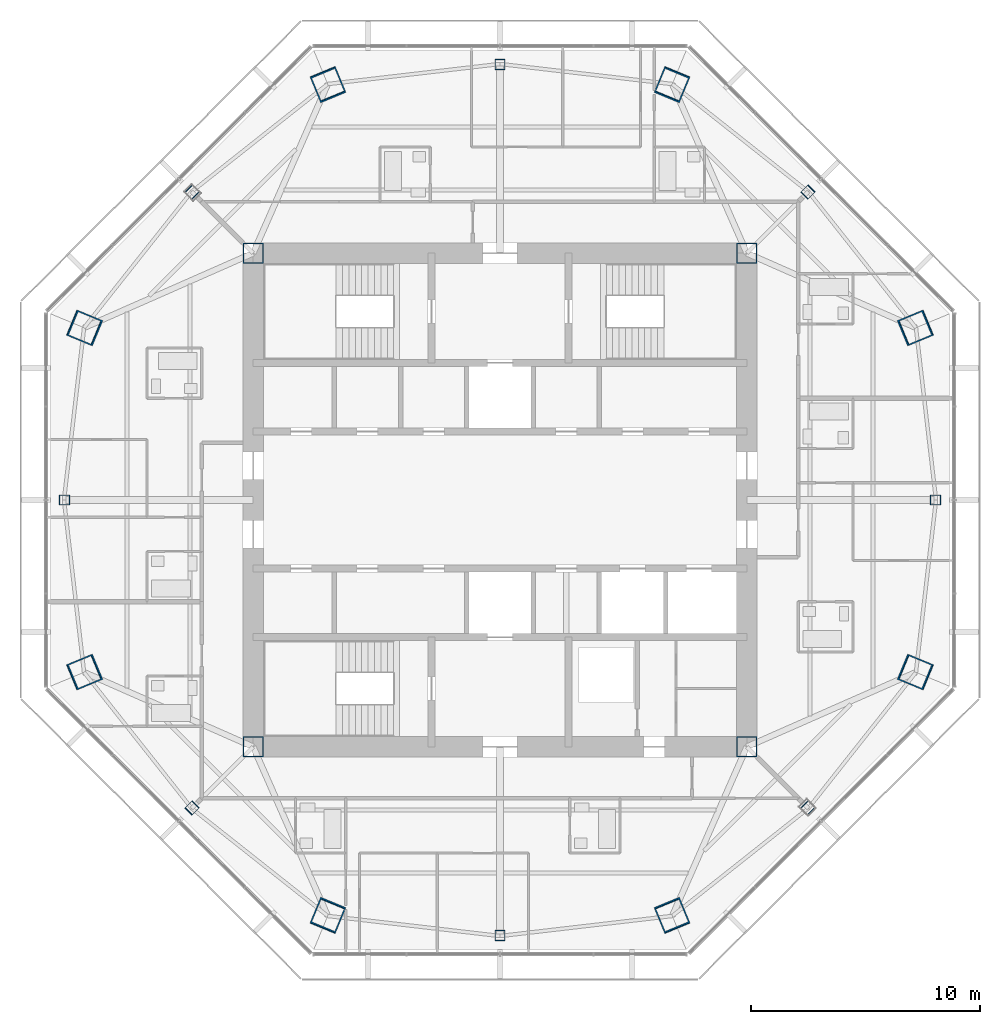
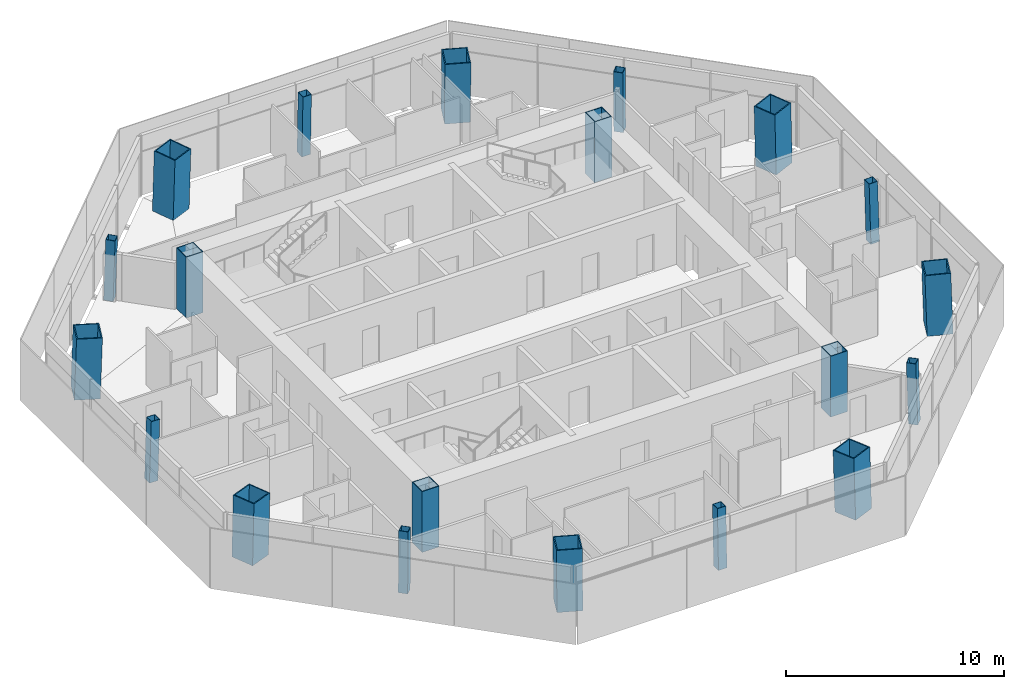
# One storey, part 1 of 14: 20 columns.
"""IFC4 building model written with IfcOpenShell, lengths in metres."""

from ifc_helpers import new_model, si_unit, direction, frame, origin, origin_2d, place, context, subcontext, project, spatial, hollow_rectangle, extrude, material, material_profile, profile_set, type_object, element, save


model = new_model("IFC4")

# Units and contexts
model_context = context("Model", 3, precision=1e-05, world=origin(), true_north=direction((0.0, 1.0)))
body_context = subcontext(model_context, "Body", "Model", "MODEL_VIEW")
ifc_project = project(units=[si_unit("LENGTHUNIT", "METRE"), si_unit("AREAUNIT", "SQUARE_METRE"), si_unit("VOLUMEUNIT", "CUBIC_METRE"), si_unit("PLANEANGLEUNIT", "RADIAN"), si_unit("MASSUNIT", "GRAM", prefix="KILO")], contexts=[model_context])

# Site, building, storey
site_placement = place(None, origin())
site = spatial("IfcSite", under=ifc_project, at=site_placement, CompositionType="ELEMENT")
building_placement = place(site_placement, origin())
building = spatial("IfcBuilding", under=site, at=building_placement, Name="Mashrafa Tower", CompositionType="ELEMENT")
storey_placement = place(building_placement, frame((0.0, 0.0, 287.800048828125)))
storey = spatial("IfcBuildingStorey", under=building, at=storey_placement, Name="L70", CompositionType="ELEMENT", Elevation=287.800048828125)

# Columns
ifc_material_1 = material(Name="Steel ASTM A572 Gr 50", Category="steel")
ifc_material_profile_1 = material_profile(ifc_material_1, hollow_rectangle(XDim=0.89990234375, YDim=0.89990234375, WallThickness=0.0400390625, at=origin_2d()), Name="BOX900X900X40")
ifc_profile_set_1 = profile_set([ifc_material_profile_1], Name="Steel ASTM A572 Gr 50")
column_type_1 = type_object("IfcColumnType", Name="Core corner column BOX900X900X40", PredefinedType="COLUMN", material=ifc_profile_set_1)
for number, where, z_axis, x_axis, name in (
    (1, (10.800048828125, 10.800048828125, 0.0), (0.0, 0.0, 1.0), (1.0, 0.0, 0.0), "Core corner column CC-NE L70"),
    (2, (-10.800048828125, 10.800048828125, 0.0), (0.0, 0.0, 1.0), (1.0, 0.0, 0.0), "Core corner column CC-NW L70"),
    (3, (-10.800048828125, -10.800048828125, 0.0), (0.0, 0.0, 1.0), (1.0, 0.0, 0.0), "Core corner column CC-SW L70"),
    (4, (10.800048828125, -10.800048828125, 0.0), (0.0, 0.0, 1.0), (1.0, 0.0, 0.0), "Core corner column CC-SE L70"),
):
    element("IfcColumn", number, at=place(storey_placement, frame(where, z_axis=z_axis, x_axis=x_axis)), inside=storey, type_object=column_type_1, Name=name, PredefinedType="COLUMN", context=body_context, shape_type="SweptSolid", body=[
        extrude(hollow_rectangle(XDim=0.89990234375, YDim=0.89990234375, WallThickness=0.0400390625, at=origin_2d()), origin(), (0.0, 0.0, 1.0), 3.39990234375),
    ])
ifc_material_2 = material(Name="Steel ASTM A572 Gr 50", Category="steel")
ifc_material_profile_2 = material_profile(ifc_material_2, hollow_rectangle(XDim=1.199951171875, YDim=1.199951171875, WallThickness=0.054931640625, at=origin_2d()), Name="BOX1200X1200X55")
ifc_profile_set_2 = profile_set([ifc_material_profile_2], Name="Steel ASTM A572 Gr 50")
column_type_2 = type_object("IfcColumnType", Name="Mega column CFST BOX1200X1200X55", PredefinedType="COLUMN", material=ifc_profile_set_2)
for number, where, z_axis, x_axis, name in (
    (5, (18.195068359375, 7.53662109375, 0.0), (-0.02827915051, -0.01169924247, 0.999531598986), (0.382282742426, -0.924045401938, 0.0), "Mega column MC1 L70"),
    (6, (7.53662109375, 18.195068359375, 0.0), (-0.01169924247, -0.02827915051, 0.999531598986), (0.924045401938, -0.382282742426, 0.0), "Mega column MC2 L70"),
    (7, (-7.53662109375, 18.195068359375, 0.0), (0.01169924247, -0.02827915051, 0.999531598986), (0.924045401938, 0.382282742426, 0.0), "Mega column MC3 L70"),
    (8, (-18.195068359375, 7.53662109375, 0.0), (0.02827915051, -0.01169924247, 0.999531598986), (0.382282742426, 0.924045401938, 0.0), "Mega column MC4 L70"),
    (9, (-18.195068359375, -7.53662109375, 0.0), (0.02827915051, 0.01169924247, 0.999531598986), (-0.382282742426, 0.924045401938, 0.0), "Mega column MC5 L70"),
    (10, (-7.53662109375, -18.195068359375, 0.0), (0.01169924247, 0.02827915051, 0.999531598986), (-0.924045401938, 0.382282742426, 0.0), "Mega column MC6 L70"),
    (11, (7.53662109375, -18.195068359375, 0.0), (-0.01169924247, 0.02827915051, 0.999531598986), (-0.924045401938, -0.382282742426, 0.0), "Mega column MC7 L70"),
    (12, (18.195068359375, -7.53662109375, 0.0), (-0.02827915051, 0.01169924247, 0.999531598986), (-0.382282742426, -0.924045401938, 0.0), "Mega column MC8 L70"),
):
    element("IfcColumn", number, at=place(storey_placement, frame(where, z_axis=z_axis, x_axis=x_axis)), inside=storey, type_object=column_type_2, Name=name, PredefinedType="COLUMN", context=body_context, shape_type="SweptSolid", body=[
        extrude(hollow_rectangle(XDim=1.199951171875, YDim=1.199951171875, WallThickness=0.054931640625, at=origin_2d()), origin(), (0.0, 0.0, 1.0), 3.401611328125),
    ])
ifc_material_3 = material(Name="Steel ASTM A572 Gr 50", Category="steel")
ifc_material_profile_3 = material_profile(ifc_material_3, hollow_rectangle(XDim=0.449951171875, YDim=0.449951171875, WallThickness=0.02001953125, at=origin_2d()), Name="BOX450X450X20")
ifc_profile_set_3 = profile_set([ifc_material_profile_3], Name="Steel ASTM A572 Gr 50")
column_type_3 = type_object("IfcColumnType", Name="Secondary column BOX450X450X20", PredefinedType="COLUMN", material=ifc_profile_set_3)
for number, where, z_axis, x_axis, name in (
    (13, (19.0732421875, 0.0, 0.0), (-0.028281086024, 0.0, 0.999600010091), (0.0, -1.0, 0.0), "Secondary column SC1 L70"),
    (14, (13.48681640625, 13.48681640625, 0.0), (-0.01995470925, -0.01995470925, 0.999601730269), (0.707106781187, -0.707106781187, 0.0), "Secondary column SC2 L70"),
    (15, (0.0, 19.0732421875, 0.0), (0.0, -0.028281086024, 0.999600010091), (1.0, 0.0, 0.0), "Secondary column SC3 L70"),
    (16, (-13.48681640625, 13.48681640625, 0.0), (0.01995470925, -0.01995470925, 0.999601730269), (0.707106781187, 0.707106781187, 0.0), "Secondary column SC4 L70"),
    (17, (-19.0732421875, 0.0, 0.0), (0.028281086024, 0.0, 0.999600010091), (0.0, 1.0, 0.0), "Secondary column SC5 L70"),
    (18, (-13.48681640625, -13.48681640625, 0.0), (0.01995470925, 0.01995470925, 0.999601730269), (-0.707106781187, 0.707106781187, 0.0), "Secondary column SC6 L70"),
    (19, (0.0, -19.0732421875, 0.0), (0.0, 0.028281086024, 0.999600010091), (-1.0, 0.0, 0.0), "Secondary column SC7 L70"),
    (20, (13.48681640625, -13.48681640625, 0.0), (-0.01995470925, 0.01995470925, 0.999601730269), (-0.707106781187, -0.707106781187, 0.0), "Secondary column SC8 L70"),
):
    element("IfcColumn", number, at=place(storey_placement, frame(where, z_axis=z_axis, x_axis=x_axis)), inside=storey, type_object=column_type_3, Name=name, PredefinedType="COLUMN", context=body_context, shape_type="SweptSolid", body=[
        extrude(hollow_rectangle(XDim=0.449951171875, YDim=0.449951171875, WallThickness=0.02001953125, at=origin_2d()), origin(), (0.0, 0.0, 1.0), 3.4013671875),
    ])

save(model, "model.ifc")
